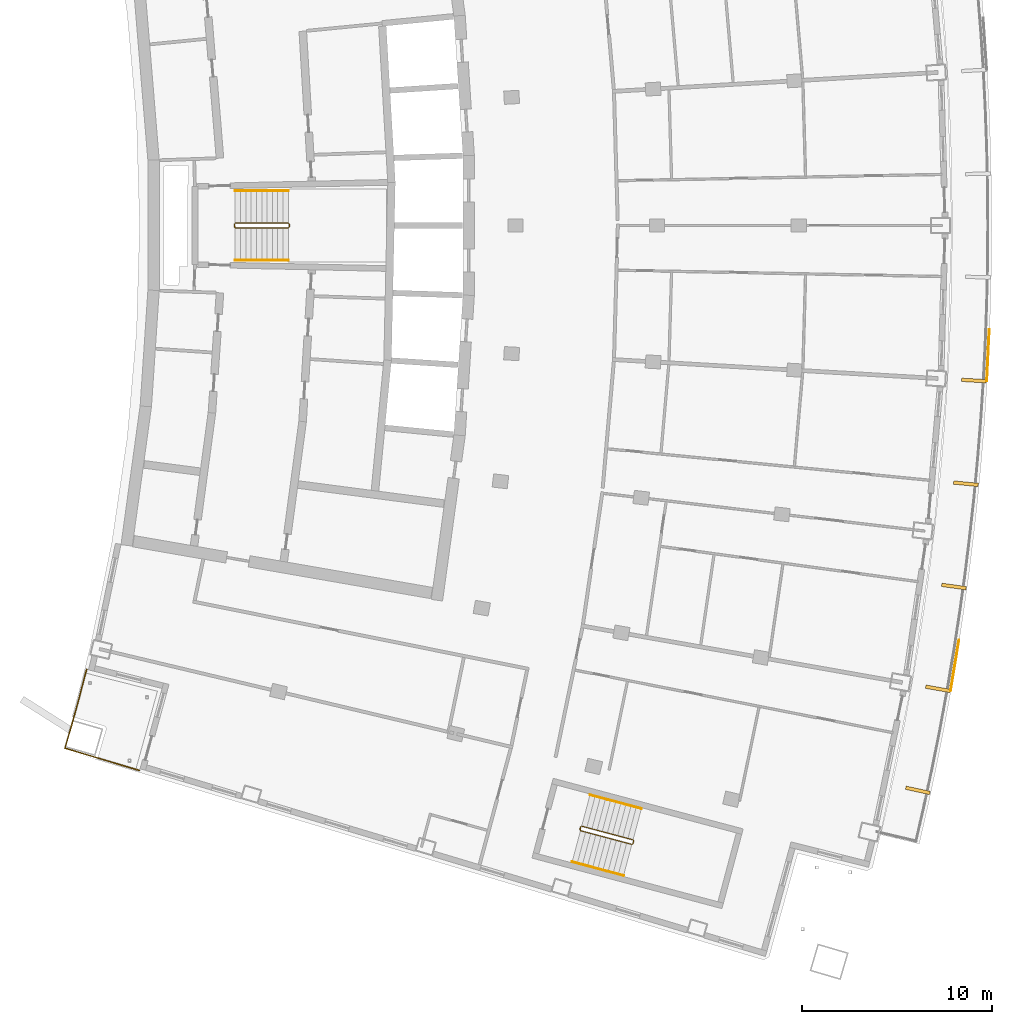
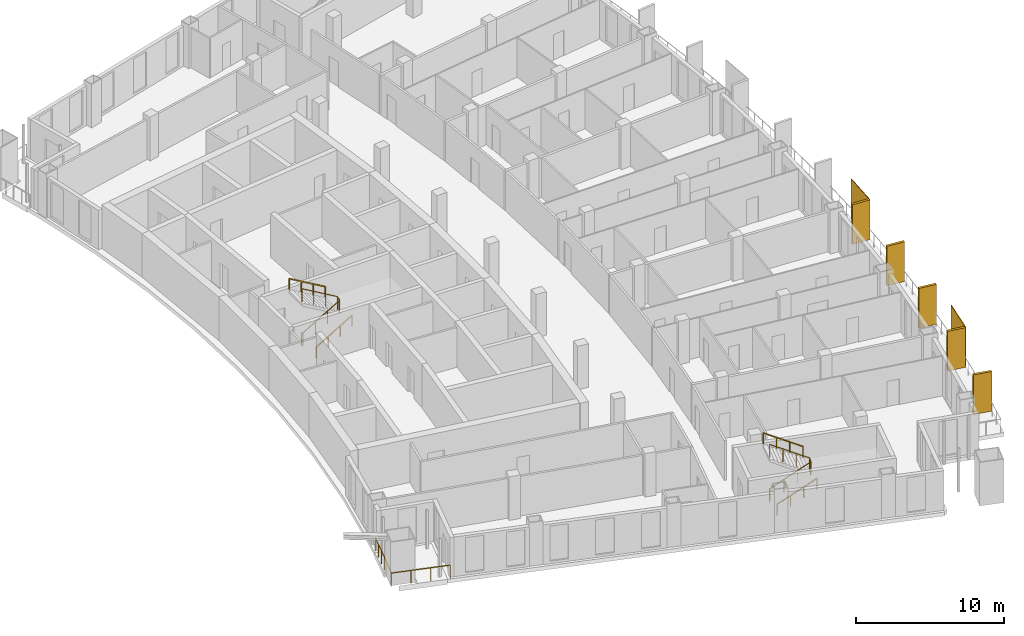
# One storey, part 17 of 19: 7 railings, 7 shading devices.
"""IFC4 building model written with IfcOpenShell, lengths in metres."""

from ifc_helpers import new_model, si_unit, direction, frame, origin, origin_with_axes, origin_2d, place, context, subcontext, project, spatial, rectangle, extrude, material, layer, layer_set, type_object, element, save


model = new_model("IFC4")

# Units and contexts
model_context = context("Model", 3, precision=1e-05, world=origin(), true_north=direction((0.0, 1.0)))
body_context = subcontext(model_context, "Body", "Model", "MODEL_VIEW")
ifc_project = project(units=[si_unit("LENGTHUNIT", "METRE"), si_unit("AREAUNIT", "SQUARE_METRE"), si_unit("VOLUMEUNIT", "CUBIC_METRE"), si_unit("PLANEANGLEUNIT", "RADIAN"), si_unit("MASSUNIT", "GRAM", prefix="KILO")], contexts=[model_context])

# Site, building, storey
site_placement = place(None, origin())
site = spatial("IfcSite", under=ifc_project, at=site_placement, CompositionType="ELEMENT")
building_placement = place(site_placement, origin())
building = spatial("IfcBuilding", under=site, at=building_placement, Name="Alderwake Tower", CompositionType="ELEMENT")
storey_placement = place(building_placement, frame((0.0, 0.0, 203.60009765625)))
storey = spatial("IfcBuildingStorey", under=building, at=storey_placement, Name="L50", CompositionType="ELEMENT", Elevation=203.60009765625)

# Railing
ifc_material_1 = material(Name="Stainless steel 316 rail and posts", Category="steel")
railing_type_1 = type_object("IfcRailingType", Name="Balcony guard 1100", PredefinedType="GUARDRAIL", material=ifc_material_1)
railing_1_placement = place(storey_placement, frame((13.210693359375, 37.612548828125, 0.0)))
element("IfcRailing", 1, at=railing_1_placement, inside=storey, type_object=railing_type_1, Name="Guard terrace RS", PredefinedType="GUARDRAIL", context=body_context, shape_type="SweptSolid", body=[
    extrude(rectangle(XDim=0.048095703125, YDim=0.048095703125, at=origin_2d()), frame((0.0, 0.0, 1.076171875), z_axis=(-0.251385381433, -0.967887075026, 0.0), x_axis=(0.967887075026, -0.251385381433, 0.0)), (0.0, 0.0, 1.0), 1.6015625),
    extrude(rectangle(XDim=0.048095703125, YDim=0.048095703125, at=origin_2d()), frame((-0.402587890625, -1.550048828125, 1.076171875), z_axis=(-0.266520638672, -0.963829211615, 0.0), x_axis=(0.963829211615, -0.266520638672, 0.0)), (0.0, 0.0, 1.0), 1.401611328125),
    extrude(rectangle(XDim=0.048095703125, YDim=0.048095703125, at=origin_2d()), frame((-0.776123046875, -2.90087890625, 1.076171875), z_axis=(-0.280093650878, -0.959972680204, 0.0), x_axis=(0.959972680204, -0.280093650878, 0.0)), (0.0, 0.0, 1.0), 1.30126953125),
    extrude(rectangle(XDim=0.048095703125, YDim=0.048095703125, at=origin_2d()), frame((-1.140625, -4.150146484375, 1.076171875), z_axis=(0.958066871889, -0.286544706789, 0.0), x_axis=(0.286544706789, 0.958066871889, 0.0)), (0.0, 0.0, 1.0), 4.099853515625),
    extrude(rectangle(XDim=0.0419921875, YDim=0.0419921875, at=origin_2d()), frame((0.0, 0.0, 0.0), z_axis=(0.0, 0.0, 1.0), x_axis=(-0.251385381433, -0.967887075026, 0.0)), (0.0, 0.0, 1.0), 1.052001953125),
    extrude(rectangle(XDim=0.0419921875, YDim=0.0419921875, at=origin_2d()), frame((-0.201171875, -0.77490234375, 0.0), z_axis=(0.0, 0.0, 1.0), x_axis=(-0.251385381433, -0.967887075026, 0.0)), (0.0, 0.0, 1.0), 1.052001953125),
    extrude(rectangle(XDim=0.0419921875, YDim=0.0419921875, at=origin_2d()), frame((-0.402587890625, -1.550048828125, 0.0), z_axis=(0.0, 0.0, 1.0), x_axis=(-0.266520638672, -0.963829211615, 0.0)), (0.0, 0.0, 1.0), 1.052001953125),
    extrude(rectangle(XDim=0.0419921875, YDim=0.0419921875, at=origin_2d()), frame((-0.58935546875, -2.2255859375, 0.0), z_axis=(0.0, 0.0, 1.0), x_axis=(-0.266520638672, -0.963829211615, 0.0)), (0.0, 0.0, 1.0), 1.052001953125),
    extrude(rectangle(XDim=0.0419921875, YDim=0.0419921875, at=origin_2d()), frame((-0.776123046875, -2.90087890625, 0.0), z_axis=(0.0, 0.0, 1.0), x_axis=(-0.280093650878, -0.959972680204, 0.0)), (0.0, 0.0, 1.0), 1.052001953125),
    extrude(rectangle(XDim=0.0419921875, YDim=0.0419921875, at=origin_2d()), frame((-1.140625, -4.150146484375, 0.0), z_axis=(0.0, 0.0, 1.0), x_axis=(0.958066871889, -0.286544706789, 0.0)), (0.0, 0.0, 1.0), 1.052001953125),
    extrude(rectangle(XDim=0.0419921875, YDim=0.0419921875, at=origin_2d()), frame((0.168701171875, -4.541748046875, 0.0), z_axis=(0.0, 0.0, 1.0), x_axis=(0.958066871889, -0.286544706789, 0.0)), (0.0, 0.0, 1.0), 1.052001953125),
    extrude(rectangle(XDim=0.0419921875, YDim=0.0419921875, at=origin_2d()), frame((1.47802734375, -4.933349609375, 0.0), z_axis=(0.0, 0.0, 1.0), x_axis=(0.958066871889, -0.286544706789, 0.0)), (0.0, 0.0, 1.0), 1.052001953125),
    extrude(rectangle(XDim=0.0419921875, YDim=0.0419921875, at=origin_2d()), frame((2.787353515625, -5.324951171875, 0.0), z_axis=(0.0, 0.0, 1.0), x_axis=(0.958066871889, -0.286544706789, 0.0)), (0.0, 0.0, 1.0), 1.052001953125),
])

# Shading devices
ifc_material_2 = material(Name="Bronze anodised aluminium", Category="aluminium")
ifc_layer_1 = layer(ifc_material_2, 0.179931640625)
ifc_layer_set_1 = layer_set([ifc_layer_1], Name="Facade fin 1300")
shading_device_type_1 = type_object("IfcShadingDeviceType", Name="Facade fin 1300", PredefinedType="USERDEFINED", material=ifc_layer_set_1)
for number, where, z_axis, x_axis, name in (
    (2, (57.0048828125, 31.239501953125, 0.0), (0.0, 0.0, 1.0), (0.977210363881, -0.212273184185, 0.0), "Fin"),
    (3, (58.05859375, 36.590087890625, 0.0), (0.0, 0.0, 1.0), (0.984726421654, -0.174108800747, 0.0), "Fin"),
    (4, (58.903564453125, 41.9775390625, 0.0), (0.0, 0.0, 1.0), (0.990752577235, -0.135680988728, 0.0), "Fin"),
    (5, (59.5380859375, 47.39404296875, 0.0), (0.0, 0.0, 1.0), (0.995279882363, -0.097046152751, 0.0), "Fin"),
    (6, (59.9619140625, 52.8310546875, 0.0), (0.0, 0.0, 1.0), (0.998301080988, -0.058266214038, 0.0), "Fin"),
):
    element("IfcShadingDevice", number, at=place(storey_placement, frame(where, z_axis=z_axis, x_axis=x_axis)), inside=storey, type_object=shading_device_type_1, Name=name, ObjectType="FIN", PredefinedType="USERDEFINED", context=body_context, shape_type="SweptSolid", body=[
        extrude(rectangle(XDim=1.300048828125, YDim=0.179931640625, at=origin_2d()), origin(), (0.0, 0.0, 1.0), 3.280029296875),
    ])
ifc_material_3 = material(Name="Perforated bronze anodised aluminium", Category="aluminium")
ifc_layer_2 = layer(ifc_material_3, 0.050048828125)
ifc_layer_set_2 = layer_set([ifc_layer_2], Name="Perforated screen panel")
shading_device_type_2 = type_object("IfcShadingDeviceType", Name="Perforated screen panel", PredefinedType="USERDEFINED", material=ifc_layer_set_2)
for number, where, z_axis, x_axis, name in (
    (7, (58.9482421875, 37.8203125, 0.0), (0.0, 0.0, 1.0), (0.986369013299, -0.164548380739, 0.0), "Screen panel"),
    (8, (60.701904296875, 54.156494140625, 0.0), (0.0, 0.0, 1.0), (0.998819231138, -0.048581308217, 0.0), "Screen panel"),
):
    element("IfcShadingDevice", number, at=place(storey_placement, frame(where, z_axis=z_axis, x_axis=x_axis)), inside=storey, type_object=shading_device_type_2, Name=name, ObjectType="SCREEN", PredefinedType="USERDEFINED", context=body_context, shape_type="SweptSolid", body=[
        extrude(rectangle(XDim=0.050048828125, YDim=2.73291015625, at=origin_2d()), origin(), (0.0, 0.0, 1.0), 3.280029296875),
    ])

# Railings
ifc_material_4 = material(Name="Stainless steel guard", Category="steel")
railing_type_2 = type_object("IfcRailingType", Name="Stair guard 1100", PredefinedType="GUARDRAIL", material=ifc_material_4)
railing_2_placement = place(storey_placement, frame((20.989990234375, 60.925048828125, 0.0)))
element("IfcRailing", 9, at=railing_2_placement, inside=storey, type_object=railing_type_2, Name="L50 ST-B stair guard 1", PredefinedType="GUARDRAIL", context=body_context, shape_type="SweptSolid", body=[
    extrude(rectangle(XDim=0.048095703125, YDim=0.048095703125, at=origin_2d()), frame((0.0, 0.0, 1.076171875), z_axis=(0.0, 1.0, 0.0), x_axis=(-1.0, 0.0, 0.0)), (0.0, 0.0, 1.0), 0.14990234375),
    extrude(rectangle(XDim=0.048095703125, YDim=0.048095703125, at=origin_2d()), frame((0.0, 0.14990234375, 1.076171875), z_axis=(0.190199549216, -0.759870394187, 0.621627795), x_axis=(0.970072785993, 0.242814311512, 0.0)), (0.0, 0.0, 1.0), 0.26318359375),
    extrude(rectangle(XDim=0.048095703125, YDim=0.048095703125, at=origin_2d()), frame((0.050048828125, -0.050048828125, 1.23974609375), z_axis=(0.863393664356, 0.0, 0.504530851732), x_axis=(0.0, 1.0, 0.0)), (0.0, 0.0, 1.0), 3.2431640625),
    extrude(rectangle(XDim=0.048095703125, YDim=0.048095703125, at=origin_2d()), frame((2.85009765625, -0.050048828125, 2.8759765625), z_axis=(0.705375805398, 0.708833529934, 0.0), x_axis=(-0.708833529934, 0.705375805398, 0.0)), (0.0, 0.0, 1.0), 0.070556640625),
    extrude(rectangle(XDim=0.048095703125, YDim=0.048095703125, at=origin_2d()), frame((2.89990234375, 0.0, 2.8759765625), z_axis=(0.0, 1.0, 0.0), x_axis=(-1.0, 0.0, 0.0)), (0.0, 0.0, 1.0), 0.14990234375),
    extrude(rectangle(XDim=0.048095703125, YDim=0.048095703125, at=origin_2d()), frame((2.89990234375, 0.14990234375, 2.8759765625), z_axis=(-0.279194930351, 0.280563532951, 0.91833234444), x_axis=(-0.708833529934, -0.705375805398, 0.0)), (0.0, 0.0, 1.0), 0.178466796875),
    extrude(rectangle(XDim=0.048095703125, YDim=0.048095703125, at=origin_2d()), frame((2.85009765625, 0.199951171875, 3.03955078125), z_axis=(-0.863393664356, 0.0, 0.504530851732), x_axis=(0.0, -1.0, 0.0)), (0.0, 0.0, 1.0), 3.2431640625),
    extrude(rectangle(XDim=0.0419921875, YDim=0.0419921875, at=origin_2d()), frame((0.0, 0.0, 0.0), z_axis=(0.0, 0.0, 1.0), x_axis=(0.0, 1.0, 0.0)), (0.0, 0.0, 1.0), 1.052001953125),
    extrude(rectangle(XDim=0.0419921875, YDim=0.0419921875, at=origin_2d()), frame((0.0, 0.14990234375, 0.0), z_axis=(0.0, 0.0, 1.0), x_axis=(0.242814311512, -0.970072785993, 0.0)), (0.0, 0.0, 1.0), 1.052001953125),
    extrude(rectangle(XDim=0.0419921875, YDim=0.0419921875, at=origin_2d()), frame((0.050048828125, -0.050048828125, 0.16357421875), z_axis=(0.0, 0.0, 1.0), x_axis=(1.0, 0.0, 0.0)), (0.0, 0.0, 1.0), 1.052001953125),
    extrude(rectangle(XDim=0.0419921875, YDim=0.0419921875, at=origin_2d()), frame((0.9833984375, -0.050048828125, 0.708984375), z_axis=(0.0, 0.0, 1.0), x_axis=(1.0, 0.0, 0.0)), (0.0, 0.0, 1.0), 1.052001953125),
    extrude(rectangle(XDim=0.0419921875, YDim=0.0419921875, at=origin_2d()), frame((1.916748046875, -0.050048828125, 1.25439453125), z_axis=(0.0, 0.0, 1.0), x_axis=(1.0, 0.0, 0.0)), (0.0, 0.0, 1.0), 1.052001953125),
    extrude(rectangle(XDim=0.0419921875, YDim=0.0419921875, at=origin_2d()), frame((2.85009765625, -0.050048828125, 1.7998046875), z_axis=(0.0, 0.0, 1.0), x_axis=(0.705375805398, 0.708833529934, 0.0)), (0.0, 0.0, 1.0), 1.052001953125),
    extrude(rectangle(XDim=0.0419921875, YDim=0.0419921875, at=origin_2d()), frame((2.89990234375, 0.0, 1.7998046875), z_axis=(0.0, 0.0, 1.0), x_axis=(0.0, 1.0, 0.0)), (0.0, 0.0, 1.0), 1.052001953125),
    extrude(rectangle(XDim=0.0419921875, YDim=0.0419921875, at=origin_2d()), frame((2.89990234375, 0.14990234375, 1.7998046875), z_axis=(0.0, 0.0, 1.0), x_axis=(-0.705375805398, 0.708833529934, 0.0)), (0.0, 0.0, 1.0), 1.052001953125),
    extrude(rectangle(XDim=0.0419921875, YDim=0.0419921875, at=origin_2d()), frame((2.85009765625, 0.199951171875, 1.963623046875), z_axis=(0.0, 0.0, 1.0), x_axis=(-1.0, 0.0, 0.0)), (0.0, 0.0, 1.0), 1.052001953125),
    extrude(rectangle(XDim=0.0419921875, YDim=0.0419921875, at=origin_2d()), frame((1.916748046875, 0.199951171875, 2.509033203125), z_axis=(0.0, 0.0, 1.0), x_axis=(-1.0, 0.0, 0.0)), (0.0, 0.0, 1.0), 1.052001953125),
    extrude(rectangle(XDim=0.0419921875, YDim=0.0419921875, at=origin_2d()), frame((0.9833984375, 0.199951171875, 3.054443359375), z_axis=(0.0, 0.0, 1.0), x_axis=(-1.0, 0.0, 0.0)), (0.0, 0.0, 1.0), 1.052001953125),
    extrude(rectangle(XDim=0.0419921875, YDim=0.0419921875, at=origin_2d()), frame((0.050048828125, 0.199951171875, 3.599853515625), z_axis=(0.0, 0.0, 1.0), x_axis=(-1.0, 0.0, 0.0)), (0.0, 0.0, 1.0), 1.052001953125),
])
railing_3_placement = place(storey_placement, frame((39.1943359375, 29.17431640625, 0.0)))
element("IfcRailing", 10, at=railing_3_placement, inside=storey, type_object=railing_type_2, Name="L50 ST-C stair guard 1", PredefinedType="GUARDRAIL", context=body_context, shape_type="SweptSolid", body=[
    extrude(rectangle(XDim=0.048095703125, YDim=0.048095703125, at=origin_2d()), frame((0.0, 0.0, 1.076171875), z_axis=(0.257459803502, 0.966289009345, 0.0), x_axis=(-0.966289009345, 0.257459803502, 0.0)), (0.0, 0.0, 1.0), 0.14990234375),
    extrude(rectangle(XDim=0.048095703125, YDim=0.048095703125, at=origin_2d()), frame((0.03857421875, 0.144775390625, 1.076171875), z_axis=(-0.012062893862, -0.783160186125, 0.621702991355), x_axis=(0.999881397308, -0.015401016783, 0.0)), (0.0, 0.0, 1.0), 0.26318359375),
    extrude(rectangle(XDim=0.048095703125, YDim=0.048095703125, at=origin_2d()), frame((0.035400390625, -0.061279296875, 1.23974609375), z_axis=(0.834313512087, -0.222222637163, 0.504517653885), x_axis=(0.257380452725, 0.966310148221, 0.0)), (0.0, 0.0, 1.0), 3.2431640625),
    extrude(rectangle(XDim=0.048095703125, YDim=0.048095703125, at=origin_2d()), frame((2.7412109375, -0.781982421875, 2.8759765625), z_axis=(0.865031189262, 0.501718089772, 0.0), x_axis=(-0.501718089772, 0.865031189262, 0.0)), (0.0, 0.0, 1.0), 0.070556640625),
    extrude(rectangle(XDim=0.048095703125, YDim=0.048095703125, at=origin_2d()), frame((2.80224609375, -0.74658203125, 2.8759765625), z_axis=(0.257055032184, 0.966396766566, 0.0), x_axis=(-0.966396766566, 0.257055032184, 0.0)), (0.0, 0.0, 1.0), 0.150146484375),
    extrude(rectangle(XDim=0.048095703125, YDim=0.048095703125, at=origin_2d()), frame((2.8408203125, -0.6015625, 2.8759765625), z_axis=(-0.198375862152, 0.343395457933, 0.918001403477), x_axis=(-0.865898279276, -0.500220121494, 0.0)), (0.0, 0.0, 1.0), 0.178466796875),
    extrude(rectangle(XDim=0.048095703125, YDim=0.048095703125, at=origin_2d()), frame((2.805419921875, -0.540283203125, 3.03955078125), z_axis=(-0.834290631165, 0.222236594766, 0.504549342183), x_axis=(-0.257402139082, -0.966304371715, 0.0)), (0.0, 0.0, 1.0), 3.242919921875),
    extrude(rectangle(XDim=0.0419921875, YDim=0.0419921875, at=origin_2d()), frame((0.0, 0.0, 0.0), z_axis=(0.0, 0.0, 1.0), x_axis=(0.257459803502, 0.966289009345, 0.0)), (0.0, 0.0, 1.0), 1.052001953125),
    extrude(rectangle(XDim=0.0419921875, YDim=0.0419921875, at=origin_2d()), frame((0.03857421875, 0.144775390625, 0.0), z_axis=(0.0, 0.0, 1.0), x_axis=(-0.015401016783, -0.999881397308, 0.0)), (0.0, 0.0, 1.0), 1.052001953125),
    extrude(rectangle(XDim=0.0419921875, YDim=0.0419921875, at=origin_2d()), frame((0.035400390625, -0.061279296875, 0.16357421875), z_axis=(0.0, 0.0, 1.0), x_axis=(0.966310148221, -0.257380452725, 0.0)), (0.0, 0.0, 1.0), 1.052001953125),
    extrude(rectangle(XDim=0.0419921875, YDim=0.0419921875, at=origin_2d()), frame((0.937255859375, -0.301513671875, 0.708984375), z_axis=(0.0, 0.0, 1.0), x_axis=(0.966310148221, -0.257380452725, 0.0)), (0.0, 0.0, 1.0), 1.052001953125),
    extrude(rectangle(XDim=0.0419921875, YDim=0.0419921875, at=origin_2d()), frame((1.83935546875, -0.541748046875, 1.25439453125), z_axis=(0.0, 0.0, 1.0), x_axis=(0.966310148221, -0.257380452725, 0.0)), (0.0, 0.0, 1.0), 1.052001953125),
    extrude(rectangle(XDim=0.0419921875, YDim=0.0419921875, at=origin_2d()), frame((2.7412109375, -0.781982421875, 1.7998046875), z_axis=(0.0, 0.0, 1.0), x_axis=(0.865031189262, 0.501718089772, 0.0)), (0.0, 0.0, 1.0), 1.052001953125),
    extrude(rectangle(XDim=0.0419921875, YDim=0.0419921875, at=origin_2d()), frame((2.80224609375, -0.74658203125, 1.7998046875), z_axis=(0.0, 0.0, 1.0), x_axis=(0.257055032184, 0.966396766566, 0.0)), (0.0, 0.0, 1.0), 1.052001953125),
    extrude(rectangle(XDim=0.0419921875, YDim=0.0419921875, at=origin_2d()), frame((2.8408203125, -0.6015625, 1.7998046875), z_axis=(0.0, 0.0, 1.0), x_axis=(-0.500220121494, 0.865898279276, 0.0)), (0.0, 0.0, 1.0), 1.052001953125),
    extrude(rectangle(XDim=0.0419921875, YDim=0.0419921875, at=origin_2d()), frame((2.805419921875, -0.540283203125, 1.963623046875), z_axis=(0.0, 0.0, 1.0), x_axis=(-0.966304371715, 0.257402139082, 0.0)), (0.0, 0.0, 1.0), 1.052001953125),
    extrude(rectangle(XDim=0.0419921875, YDim=0.0419921875, at=origin_2d()), frame((1.903564453125, -0.300048828125, 2.509033203125), z_axis=(0.0, 0.0, 1.0), x_axis=(-0.966304371715, 0.257402139082, 0.0)), (0.0, 0.0, 1.0), 1.052001953125),
    extrude(rectangle(XDim=0.0419921875, YDim=0.0419921875, at=origin_2d()), frame((1.001708984375, -0.059814453125, 3.054443359375), z_axis=(0.0, 0.0, 1.0), x_axis=(-0.966304371715, 0.257402139082, 0.0)), (0.0, 0.0, 1.0), 1.052001953125),
    extrude(rectangle(XDim=0.0419921875, YDim=0.0419921875, at=origin_2d()), frame((0.099853515625, 0.180419921875, 3.599853515625), z_axis=(0.0, 0.0, 1.0), x_axis=(-0.966304371715, 0.257402139082, 0.0)), (0.0, 0.0, 1.0), 1.052001953125),
])
ifc_material_5 = material(Name="Stainless steel handrail", Category="steel")
railing_type_3 = type_object("IfcRailingType", Name="Stair handrail 900", PredefinedType="HANDRAIL", material=ifc_material_5)
railing_4_placement = place(storey_placement, frame((21.0400390625, 59.175048828125, 0.16357421875)))
element("IfcRailing", 11, at=railing_4_placement, inside=storey, type_object=railing_type_3, Name="L50 ST-B stair handrail 1", PredefinedType="HANDRAIL", context=body_context, shape_type="SweptSolid", body=[
    extrude(rectangle(XDim=0.048095703125, YDim=0.048095703125, at=origin_2d()), frame((0.0, 0.0, 0.8759765625), z_axis=(0.863393664356, 0.0, 0.504530851732), x_axis=(0.0, 1.0, 0.0)), (0.0, 0.0, 1.0), 3.2431640625),
    extrude(rectangle(XDim=0.0419921875, YDim=0.0419921875, at=origin_2d()), origin_with_axes(), (0.0, 0.0, 1.0), 0.851806640625),
    extrude(rectangle(XDim=0.0419921875, YDim=0.0419921875, at=origin_2d()), frame((0.933349609375, 0.0, 0.54541015625), z_axis=(0.0, 0.0, 1.0), x_axis=(1.0, 0.0, 0.0)), (0.0, 0.0, 1.0), 0.851806640625),
    extrude(rectangle(XDim=0.0419921875, YDim=0.0419921875, at=origin_2d()), frame((1.86669921875, 0.0, 1.0908203125), z_axis=(0.0, 0.0, 1.0), x_axis=(1.0, 0.0, 0.0)), (0.0, 0.0, 1.0), 0.851806640625),
    extrude(rectangle(XDim=0.0419921875, YDim=0.0419921875, at=origin_2d()), frame((2.800048828125, 0.0, 1.63623046875), z_axis=(0.0, 0.0, 1.0), x_axis=(1.0, 0.0, 0.0)), (0.0, 0.0, 1.0), 0.851806640625),
])
railing_5_placement = place(storey_placement, frame((23.840087890625, 62.824951171875, 1.963623046875)))
element("IfcRailing", 12, at=railing_5_placement, inside=storey, type_object=railing_type_3, Name="L50 ST-B stair handrail 2", PredefinedType="HANDRAIL", context=body_context, shape_type="SweptSolid", body=[
    extrude(rectangle(XDim=0.048095703125, YDim=0.048095703125, at=origin_2d()), frame((0.0, 0.0, 0.8759765625), z_axis=(-0.863393664356, 0.0, 0.504530851732), x_axis=(0.0, -1.0, 0.0)), (0.0, 0.0, 1.0), 3.2431640625),
    extrude(rectangle(XDim=0.0419921875, YDim=0.0419921875, at=origin_2d()), frame((0.0, 0.0, 0.0), z_axis=(0.0, 0.0, 1.0), x_axis=(-1.0, 0.0, 0.0)), (0.0, 0.0, 1.0), 0.851806640625),
    extrude(rectangle(XDim=0.0419921875, YDim=0.0419921875, at=origin_2d()), frame((-0.933349609375, 0.0, 0.54541015625), z_axis=(0.0, 0.0, 1.0), x_axis=(-1.0, 0.0, 0.0)), (0.0, 0.0, 1.0), 0.851806640625),
    extrude(rectangle(XDim=0.0419921875, YDim=0.0419921875, at=origin_2d()), frame((-1.86669921875, 0.0, 1.0908203125), z_axis=(0.0, 0.0, 1.0), x_axis=(-1.0, 0.0, 0.0)), (0.0, 0.0, 1.0), 0.851806640625),
    extrude(rectangle(XDim=0.0419921875, YDim=0.0419921875, at=origin_2d()), frame((-2.800048828125, 0.0, 1.63623046875), z_axis=(0.0, 0.0, 1.0), x_axis=(-1.0, 0.0, 0.0)), (0.0, 0.0, 1.0), 0.851806640625),
])
railing_6_placement = place(storey_placement, frame((38.792236328125, 27.47021484375, 0.16357421875)))
element("IfcRailing", 13, at=railing_6_placement, inside=storey, type_object=railing_type_3, Name="L50 ST-C stair handrail 1", PredefinedType="HANDRAIL", context=body_context, shape_type="SweptSolid", body=[
    extrude(rectangle(XDim=0.048095703125, YDim=0.048095703125, at=origin_2d()), frame((0.0, 0.0, 0.8759765625), z_axis=(0.834304587439, -0.222165027751, 0.504557782442), x_axis=(0.25732071773, 0.966326056891, 0.0)), (0.0, 0.0, 1.0), 3.242919921875),
    extrude(rectangle(XDim=0.0419921875, YDim=0.0419921875, at=origin_2d()), frame((0.0, 0.0, 0.0), z_axis=(0.0, 0.0, 1.0), x_axis=(0.966326056891, -0.25732071773, 0.0)), (0.0, 0.0, 1.0), 0.851806640625),
    extrude(rectangle(XDim=0.0419921875, YDim=0.0419921875, at=origin_2d()), frame((0.90185546875, -0.240234375, 0.54541015625), z_axis=(0.0, 0.0, 1.0), x_axis=(0.966326056891, -0.25732071773, 0.0)), (0.0, 0.0, 1.0), 0.851806640625),
    extrude(rectangle(XDim=0.0419921875, YDim=0.0419921875, at=origin_2d()), frame((1.8037109375, -0.480224609375, 1.0908203125), z_axis=(0.0, 0.0, 1.0), x_axis=(0.966326056891, -0.25732071773, 0.0)), (0.0, 0.0, 1.0), 0.851806640625),
    extrude(rectangle(XDim=0.0419921875, YDim=0.0419921875, at=origin_2d()), frame((2.70556640625, -0.720458984375, 1.63623046875), z_axis=(0.0, 0.0, 1.0), x_axis=(0.966326056891, -0.25732071773, 0.0)), (0.0, 0.0, 1.0), 0.851806640625),
])
railing_7_placement = place(storey_placement, frame((42.437255859375, 30.276611328125, 1.963623046875)))
element("IfcRailing", 14, at=railing_7_placement, inside=storey, type_object=railing_type_3, Name="L50 ST-C stair handrail 2", PredefinedType="HANDRAIL", context=body_context, shape_type="SweptSolid", body=[
    extrude(rectangle(XDim=0.048095703125, YDim=0.048095703125, at=origin_2d()), frame((0.0, 0.0, 0.8759765625), z_axis=(-0.834290631165, 0.222236594766, 0.504549342183), x_axis=(-0.257402139082, -0.966304371715, 0.0)), (0.0, 0.0, 1.0), 3.242919921875),
    extrude(rectangle(XDim=0.0419921875, YDim=0.0419921875, at=origin_2d()), frame((0.0, 0.0, 0.0), z_axis=(0.0, 0.0, 1.0), x_axis=(-0.966304371715, 0.257402139082, 0.0)), (0.0, 0.0, 1.0), 0.851806640625),
    extrude(rectangle(XDim=0.0419921875, YDim=0.0419921875, at=origin_2d()), frame((-0.90185546875, 0.240234375, 0.54541015625), z_axis=(0.0, 0.0, 1.0), x_axis=(-0.966304371715, 0.257402139082, 0.0)), (0.0, 0.0, 1.0), 0.851806640625),
    extrude(rectangle(XDim=0.0419921875, YDim=0.0419921875, at=origin_2d()), frame((-1.8037109375, 0.48046875, 1.0908203125), z_axis=(0.0, 0.0, 1.0), x_axis=(-0.966304371715, 0.257402139082, 0.0)), (0.0, 0.0, 1.0), 0.851806640625),
    extrude(rectangle(XDim=0.0419921875, YDim=0.0419921875, at=origin_2d()), frame((-2.70556640625, 0.720703125, 1.63623046875), z_axis=(0.0, 0.0, 1.0), x_axis=(-0.966304371715, 0.257402139082, 0.0)), (0.0, 0.0, 1.0), 0.851806640625),
])

save(model, "model.ifc")
